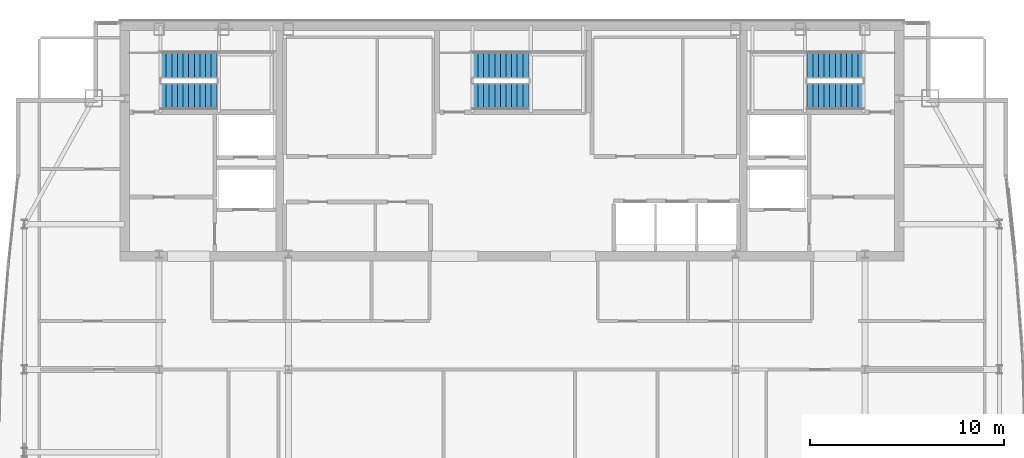
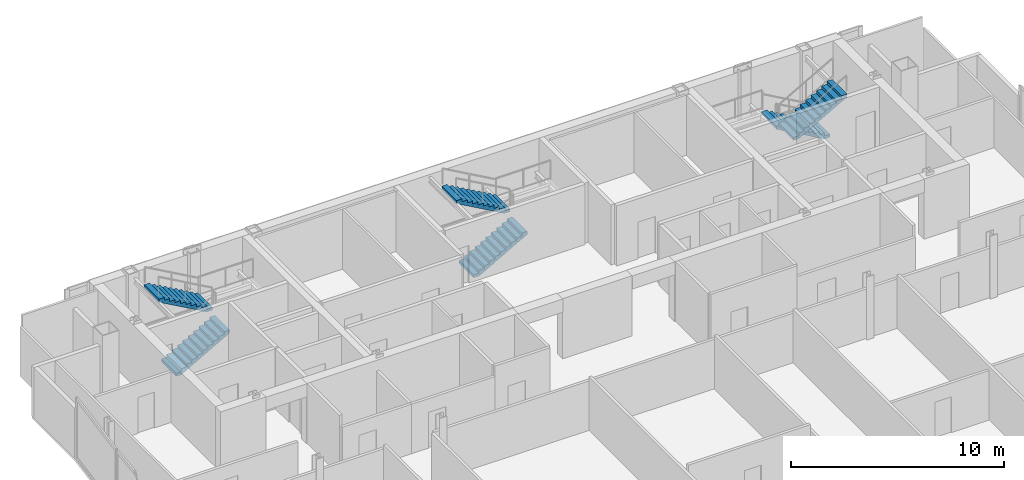
# One storey, part 25 of 27: 6 stair flights, 3 elements without a shape of their own.
"""IFC4 building model written with IfcOpenShell, lengths in metres."""

from ifc_helpers import new_model, si_unit, direction, frame, origin, place, context, subcontext, project, spatial, polyline, outline, extrude, material, type_object, element, aggregate, save


model = new_model("IFC4")

# Units and contexts
model_context = context("Model", 3, precision=1e-05, world=origin(), true_north=direction((0.0, 1.0)))
body_context = subcontext(model_context, "Body", "Model", "MODEL_VIEW")
ifc_project = project(units=[si_unit("LENGTHUNIT", "METRE"), si_unit("AREAUNIT", "SQUARE_METRE"), si_unit("VOLUMEUNIT", "CUBIC_METRE"), si_unit("PLANEANGLEUNIT", "RADIAN"), si_unit("MASSUNIT", "GRAM", prefix="KILO")], contexts=[model_context])

# Site, building, storey
site_placement = place(None, origin())
site = spatial("IfcSite", under=ifc_project, at=site_placement, CompositionType="ELEMENT")
building_placement = place(site_placement, origin())
building = spatial("IfcBuilding", under=site, at=building_placement, Name="Khoronbel Lancet Exchange", CompositionType="ELEMENT")
storey_placement = place(building_placement, frame((0.0, 0.0, 343.39990234375)))
storey = spatial("IfcBuildingStorey", under=building, at=storey_placement, Name="L89", CompositionType="ELEMENT", Elevation=343.39990234375)

# Stair, stair flights
ifc_material = material(Name="Concrete C40/50", Category="concrete")
stair_type = type_object("IfcStairType", Name="STR-CORE150", PredefinedType="HALF_TURN_STAIR", material=ifc_material)
stair_1_placement = place(storey_placement, origin())
stair_1 = element("IfcStair", 1, at=stair_1_placement, inside=storey, type_object=stair_type, Name="L89 Protected Exit Stair ST1", PredefinedType="HALF_TURN_STAIR")
stair_flight_type = type_object("IfcStairFlightType", Name="STF-150", PredefinedType="STRAIGHT", material=ifc_material)
stair_flight_1_placement = place(storey_placement, frame((18.300048828125, 49.81005859375, 0.0), z_axis=(0.0, 0.0, 1.0), x_axis=(1.0, 0.0, 0.0)))
stair_flight_1 = element("IfcStairFlight", 2, at=stair_flight_1_placement, type_object=stair_flight_type, Name="ST1 flight 1", NumberOfRisers=11, NumberOfTreads=10, PredefinedType="STRAIGHT", RiserHeight=0.163636364, TreadLength=0.29, context=body_context, shape_type="SweptSolid", body=[
    extrude(outline(polyline([(0.0, 0.0), (0.0, 0.16357421875), (0.2900390625, 0.16357421875), (0.2900390625, 0.327392578125), (0.580078125, 0.327392578125), (0.580078125, 0.490966796875), (0.8701171875, 0.490966796875), (0.8701171875, 0.654541015625), (1.159912109375, 0.654541015625), (1.159912109375, 0.818115234375), (1.449951171875, 0.818115234375), (1.449951171875, 0.98193359375), (1.739990234375, 0.98193359375), (1.739990234375, 1.1455078125), (2.030029296875, 1.1455078125), (2.030029296875, 1.30908203125), (2.320068359375, 1.30908203125), (2.320068359375, 1.47265625), (2.610107421875, 1.47265625), (2.610107421875, 1.636474609375), (2.89990234375, 1.636474609375), (2.89990234375, 1.800048828125), (2.89990234375, 1.46435546875), (0.304931640625, 0.0), (0.0, 0.0)])), frame((0.0, 0.68994140625, 0.0), z_axis=(0.0, -1.0, 0.0), x_axis=(1.0, 0.0, 0.0)), (0.0, 0.0, 1.0), 1.3798828125),
])
stair_flight_2_placement = place(storey_placement, frame((21.199951171875, 51.409912109375, 1.800048828125), z_axis=(0.0, 0.0, 1.0), x_axis=(-1.0, 0.0, 0.0)))
stair_flight_2 = element("IfcStairFlight", 3, at=stair_flight_2_placement, type_object=stair_flight_type, Name="ST1 flight 2", NumberOfRisers=11, NumberOfTreads=10, PredefinedType="STRAIGHT", RiserHeight=0.163636364, TreadLength=0.29, context=body_context, shape_type="SweptSolid", body=[
    extrude(outline(polyline([(0.0, 0.0), (0.0, 0.16357421875), (0.2900390625, 0.16357421875), (0.2900390625, 0.327392578125), (0.580078125, 0.327392578125), (0.580078125, 0.490966796875), (0.8701171875, 0.490966796875), (0.8701171875, 0.654541015625), (1.159912109375, 0.654541015625), (1.159912109375, 0.818115234375), (1.449951171875, 0.818115234375), (1.449951171875, 0.98193359375), (1.739990234375, 0.98193359375), (1.739990234375, 1.1455078125), (2.030029296875, 1.1455078125), (2.030029296875, 1.30908203125), (2.320068359375, 1.30908203125), (2.320068359375, 1.47265625), (2.610107421875, 1.47265625), (2.610107421875, 1.636474609375), (2.89990234375, 1.636474609375), (2.89990234375, 1.800048828125), (2.89990234375, 1.46435546875), (0.304931640625, 0.0), (0.0, 0.0)])), frame((0.0, 0.68994140625, 0.0), z_axis=(0.0, -1.0, 0.0), x_axis=(1.0, 0.0, 0.0)), (0.0, 0.0, 1.0), 1.3798828125),
])
aggregate(stair_1, [stair_flight_1, stair_flight_2])

stair_2_placement = place(storey_placement, origin())
stair_2 = element("IfcStair", 4, at=stair_2_placement, inside=storey, type_object=stair_type, Name="L89 Protected Exit Stair ST2", PredefinedType="HALF_TURN_STAIR")
stair_flight_3_placement = place(storey_placement, frame((54.60009765625, 51.409912109375, 0.0), z_axis=(0.0, 0.0, 1.0), x_axis=(-1.0, 0.0, 0.0)))
stair_flight_3 = element("IfcStairFlight", 5, at=stair_flight_3_placement, type_object=stair_flight_type, Name="ST2 flight 1", NumberOfRisers=11, NumberOfTreads=10, PredefinedType="STRAIGHT", RiserHeight=0.163636364, TreadLength=0.29, context=body_context, shape_type="SweptSolid", body=[
    extrude(outline(polyline([(0.0, 0.0), (0.0, 0.16357421875), (0.2900390625, 0.16357421875), (0.2900390625, 0.327392578125), (0.580078125, 0.327392578125), (0.580078125, 0.490966796875), (0.8701171875, 0.490966796875), (0.8701171875, 0.654541015625), (1.159912109375, 0.654541015625), (1.159912109375, 0.818115234375), (1.449951171875, 0.818115234375), (1.449951171875, 0.98193359375), (1.739990234375, 0.98193359375), (1.739990234375, 1.1455078125), (2.030029296875, 1.1455078125), (2.030029296875, 1.30908203125), (2.320068359375, 1.30908203125), (2.320068359375, 1.47265625), (2.610107421875, 1.47265625), (2.610107421875, 1.636474609375), (2.89990234375, 1.636474609375), (2.89990234375, 1.800048828125), (2.89990234375, 1.46435546875), (0.304931640625, 0.0), (0.0, 0.0)])), frame((0.0, 0.68994140625, 0.0), z_axis=(0.0, -1.0, 0.0), x_axis=(1.0, 0.0, 0.0)), (0.0, 0.0, 1.0), 1.3798828125),
])
stair_flight_4_placement = place(storey_placement, frame((51.699951171875, 49.81005859375, 1.800048828125), z_axis=(0.0, 0.0, 1.0), x_axis=(1.0, 0.0, 0.0)))
stair_flight_4 = element("IfcStairFlight", 6, at=stair_flight_4_placement, type_object=stair_flight_type, Name="ST2 flight 2", NumberOfRisers=11, NumberOfTreads=10, PredefinedType="STRAIGHT", RiserHeight=0.163636364, TreadLength=0.29, context=body_context, shape_type="SweptSolid", body=[
    extrude(outline(polyline([(0.0, 0.0), (0.0, 0.16357421875), (0.2900390625, 0.16357421875), (0.2900390625, 0.327392578125), (0.580078125, 0.327392578125), (0.580078125, 0.490966796875), (0.8701171875, 0.490966796875), (0.8701171875, 0.654541015625), (1.159912109375, 0.654541015625), (1.159912109375, 0.818115234375), (1.449951171875, 0.818115234375), (1.449951171875, 0.98193359375), (1.739990234375, 0.98193359375), (1.739990234375, 1.1455078125), (2.030029296875, 1.1455078125), (2.030029296875, 1.30908203125), (2.320068359375, 1.30908203125), (2.320068359375, 1.47265625), (2.610107421875, 1.47265625), (2.610107421875, 1.636474609375), (2.89990234375, 1.636474609375), (2.89990234375, 1.800048828125), (2.89990234375, 1.46435546875), (0.304931640625, 0.0), (0.0, 0.0)])), frame((0.0, 0.68994140625, 0.0), z_axis=(0.0, -1.0, 0.0), x_axis=(1.0, 0.0, 0.0)), (0.0, 0.0, 1.0), 1.3798828125),
])
aggregate(stair_2, [stair_flight_3, stair_flight_4])

stair_3_placement = place(storey_placement, origin())
stair_3 = element("IfcStair", 7, at=stair_3_placement, inside=storey, type_object=stair_type, Name="L89 Protected Exit Stair ST3", PredefinedType="HALF_TURN_STAIR")
stair_flight_5_placement = place(storey_placement, frame((34.39990234375, 49.81005859375, 0.0), z_axis=(0.0, 0.0, 1.0), x_axis=(1.0, 0.0, 0.0)))
stair_flight_5 = element("IfcStairFlight", 8, at=stair_flight_5_placement, type_object=stair_flight_type, Name="ST3 flight 1", NumberOfRisers=11, NumberOfTreads=10, PredefinedType="STRAIGHT", RiserHeight=0.163636364, TreadLength=0.29, context=body_context, shape_type="SweptSolid", body=[
    extrude(outline(polyline([(0.0, 0.0), (0.0, 0.16357421875), (0.2900390625, 0.16357421875), (0.2900390625, 0.327392578125), (0.580078125, 0.327392578125), (0.580078125, 0.490966796875), (0.8701171875, 0.490966796875), (0.8701171875, 0.654541015625), (1.159912109375, 0.654541015625), (1.159912109375, 0.818115234375), (1.449951171875, 0.818115234375), (1.449951171875, 0.98193359375), (1.739990234375, 0.98193359375), (1.739990234375, 1.1455078125), (2.030029296875, 1.1455078125), (2.030029296875, 1.30908203125), (2.320068359375, 1.30908203125), (2.320068359375, 1.47265625), (2.610107421875, 1.47265625), (2.610107421875, 1.636474609375), (2.89990234375, 1.636474609375), (2.89990234375, 1.800048828125), (2.89990234375, 1.46435546875), (0.304931640625, 0.0), (0.0, 0.0)])), frame((0.0, 0.68994140625, 0.0), z_axis=(0.0, -1.0, 0.0), x_axis=(1.0, 0.0, 0.0)), (0.0, 0.0, 1.0), 1.3798828125),
])
stair_flight_6_placement = place(storey_placement, frame((37.300048828125, 51.409912109375, 1.800048828125), z_axis=(0.0, 0.0, 1.0), x_axis=(-1.0, 0.0, 0.0)))
stair_flight_6 = element("IfcStairFlight", 9, at=stair_flight_6_placement, type_object=stair_flight_type, Name="ST3 flight 2", NumberOfRisers=11, NumberOfTreads=10, PredefinedType="STRAIGHT", RiserHeight=0.163636364, TreadLength=0.29, context=body_context, shape_type="SweptSolid", body=[
    extrude(outline(polyline([(0.0, 0.0), (0.0, 0.16357421875), (0.2900390625, 0.16357421875), (0.2900390625, 0.327392578125), (0.580078125, 0.327392578125), (0.580078125, 0.490966796875), (0.8701171875, 0.490966796875), (0.8701171875, 0.654541015625), (1.159912109375, 0.654541015625), (1.159912109375, 0.818115234375), (1.449951171875, 0.818115234375), (1.449951171875, 0.98193359375), (1.739990234375, 0.98193359375), (1.739990234375, 1.1455078125), (2.030029296875, 1.1455078125), (2.030029296875, 1.30908203125), (2.320068359375, 1.30908203125), (2.320068359375, 1.47265625), (2.610107421875, 1.47265625), (2.610107421875, 1.636474609375), (2.89990234375, 1.636474609375), (2.89990234375, 1.800048828125), (2.89990234375, 1.46435546875), (0.304931640625, 0.0), (0.0, 0.0)])), frame((0.0, 0.68994140625, 0.0), z_axis=(0.0, -1.0, 0.0), x_axis=(1.0, 0.0, 0.0)), (0.0, 0.0, 1.0), 1.3798828125),
])
aggregate(stair_3, [stair_flight_5, stair_flight_6])

save(model, "model.ifc")
